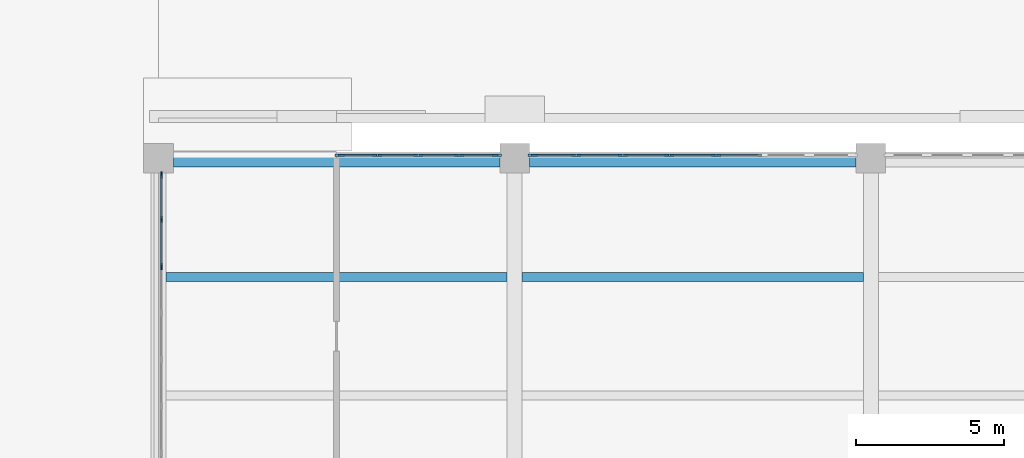
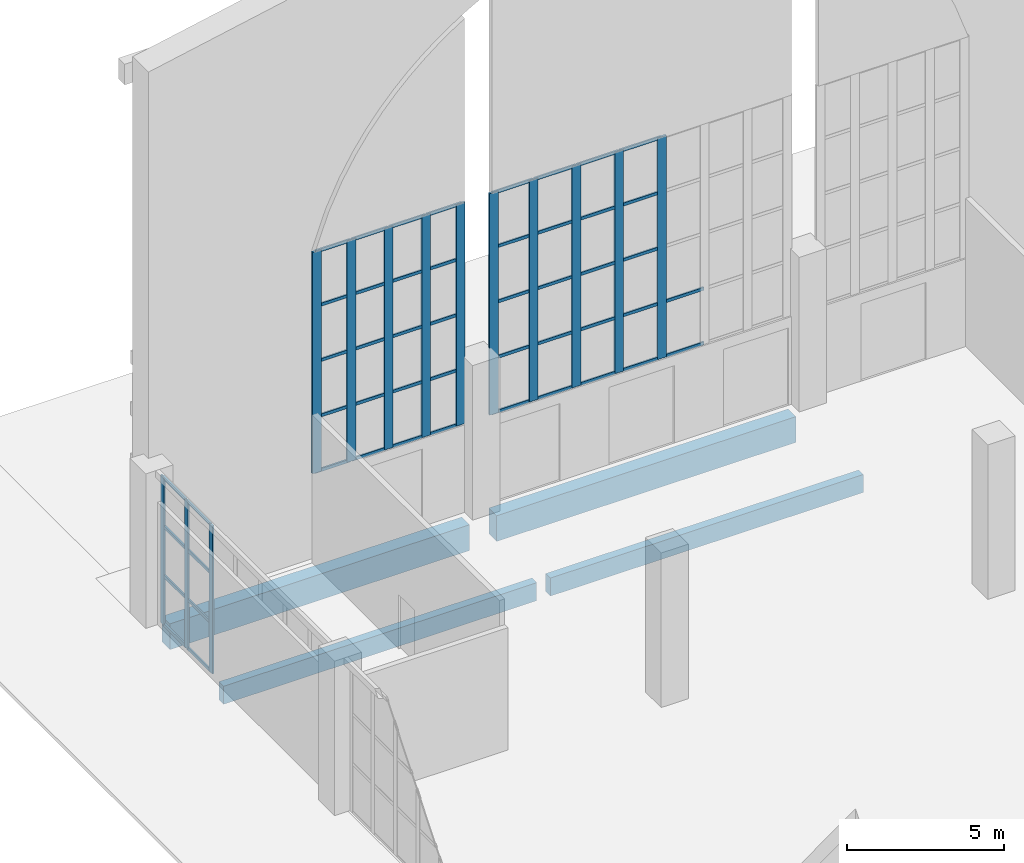
# One storey, part 21 of 59: 63 members, 4 beams, 3 elements without a shape of their own.
"""IFC4 building model written with IfcOpenShell, lengths in metres."""

from ifc_helpers import new_model, si_unit, direction, frame, origin, origin_2d, place, context, subcontext, project, spatial, rectangle, extrude, material, layer, layer_set, material_profile, profile_set, type_object, element, aggregate, save


model = new_model("IFC4")

# Units and contexts
model_context = context("Model", 3, precision=1e-05, world=origin(), true_north=direction((0.0, 1.0)))
body_context = subcontext(model_context, "Body", "Model", "MODEL_VIEW")
ifc_project = project(units=[si_unit("LENGTHUNIT", "METRE"), si_unit("AREAUNIT", "SQUARE_METRE"), si_unit("VOLUMEUNIT", "CUBIC_METRE"), si_unit("PLANEANGLEUNIT", "RADIAN"), si_unit("MASSUNIT", "GRAM", prefix="KILO")], contexts=[model_context])

# Site, building, storey
site_placement = place(None, origin())
site = spatial("IfcSite", under=ifc_project, at=site_placement, CompositionType="ELEMENT")
building_placement = place(site_placement, origin())
building = spatial("IfcBuilding", under=site, at=building_placement, Name="Lilac Gate Convention Centre", CompositionType="ELEMENT")
storey_placement = place(building_placement, origin())
storey = spatial("IfcBuildingStorey", under=building, at=storey_placement, Name="L00", CompositionType="ELEMENT", Elevation=0.0)

# Curtain wall, members
ifc_material_1 = material(Name="Aluminium framed double glazing", Category="aluminium")
ifc_layer = layer(ifc_material_1, 0.199951171875)
ifc_layer_set = layer_set([ifc_layer], Name="Aluminium framed double glazing")
curtain_wall_type = type_object("IfcCurtainWallType", Name="Unitised curtain wall 1500", PredefinedType="NOTDEFINED", material=ifc_layer_set)
curtain_wall_1_placement = place(storey_placement, origin())
curtain_wall_1 = element("IfcCurtainWall", 1, at=curtain_wall_1_placement, inside=storey, type_object=curtain_wall_type, Name="Curtain wall GW L00 1", PredefinedType="NOTDEFINED")
ifc_material_2 = material(Name="Aluminium alloy 6063", Category="aluminium")
ifc_material_profile_1 = material_profile(ifc_material_2, rectangle(XDim=0.06005859375, YDim=0.219970703125, at=origin_2d()), Name="Curtain wall mullion 60 x 220")
ifc_profile_set_1 = profile_set([ifc_material_profile_1], Name="Aluminium alloy 6063")
member_type_1 = type_object("IfcMemberType", Name="Curtain wall mullion 60 x 220", PredefinedType="MULLION", material=ifc_profile_set_1)
member_1_placement = place(storey_placement, frame((6.10009765625, 245.43994140625, 0.0), z_axis=(0.0, 0.0, 1.0), x_axis=(1.0, 0.0, 0.0)))
member_1 = element("IfcMember", 2, at=member_1_placement, type_object=member_type_1, Name="CW mullion 1", PredefinedType="MULLION", context=body_context, shape_type="SweptSolid", body=[
    extrude(rectangle(XDim=0.06005859375, YDim=0.219970703125, at=origin_2d()), origin(), (0.0, 0.0, 1.0), 5.75),
])
member_2_placement = place(storey_placement, frame((6.10009765625, 243.928466796875, 0.0), z_axis=(0.0, 0.0, 1.0), x_axis=(1.0, 0.0, 0.0)))
member_2 = element("IfcMember", 3, at=member_2_placement, type_object=member_type_1, Name="CW mullion 2", PredefinedType="MULLION", context=body_context, shape_type="SweptSolid", body=[
    extrude(rectangle(XDim=0.06005859375, YDim=0.219970703125, at=origin_2d()), origin(), (0.0, 0.0, 1.0), 5.75),
])
member_3_placement = place(storey_placement, frame((6.10009765625, 242.357177734375, 0.0), z_axis=(0.0, 0.0, 1.0), x_axis=(1.0, 0.0, 0.0)))
member_3 = element("IfcMember", 4, at=member_3_placement, type_object=member_type_1, Name="CW mullion 3", PredefinedType="MULLION", context=body_context, shape_type="SweptSolid", body=[
    extrude(rectangle(XDim=0.06005859375, YDim=0.219970703125, at=origin_2d()), origin(), (0.0, 0.0, 1.0), 5.75),
])

curtain_wall_2_placement = place(storey_placement, origin())
curtain_wall_2 = element("IfcCurtainWall", 5, at=curtain_wall_2_placement, inside=storey, type_object=curtain_wall_type, Name="Entrance screen curtain wall 1", PredefinedType="NOTDEFINED")
ifc_material_profile_2 = material_profile(ifc_material_2, rectangle(XDim=0.080078125, YDim=0.320068359375, at=origin_2d()), Name="Curtain wall mullion 80 x 320")
ifc_profile_set_2 = profile_set([ifc_material_profile_2], Name="Aluminium alloy 6063")
member_type_2 = type_object("IfcMemberType", Name="Curtain wall mullion 80 x 320", PredefinedType="MULLION", material=ifc_profile_set_2)
member_4_placement = place(storey_placement, frame((12.110107421875, 246.10009765625, 3.39990234375), z_axis=(0.0, 0.0, 1.0), x_axis=(0.0, 1.0, 0.0)))
member_4 = element("IfcMember", 6, at=member_4_placement, type_object=member_type_2, Name="CW mullion 1", PredefinedType="MULLION", context=body_context, shape_type="SweptSolid", body=[
    extrude(rectangle(XDim=0.080078125, YDim=0.320068359375, at=origin_2d()), origin(), (0.0, 0.0, 1.0), 8.60009765625),
])
member_5_placement = place(storey_placement, frame((13.375, 246.10009765625, 3.39990234375), z_axis=(0.0, 0.0, 1.0), x_axis=(0.0, 1.0, 0.0)))
member_5 = element("IfcMember", 7, at=member_5_placement, type_object=member_type_2, Name="CW mullion 2", PredefinedType="MULLION", context=body_context, shape_type="SweptSolid", body=[
    extrude(rectangle(XDim=0.080078125, YDim=0.320068359375, at=origin_2d()), origin(), (0.0, 0.0, 1.0), 8.60009765625),
])
member_6_placement = place(storey_placement, frame((14.75, 246.10009765625, 3.39990234375), z_axis=(0.0, 0.0, 1.0), x_axis=(0.0, 1.0, 0.0)))
member_6 = element("IfcMember", 8, at=member_6_placement, type_object=member_type_2, Name="CW mullion 3", PredefinedType="MULLION", context=body_context, shape_type="SweptSolid", body=[
    extrude(rectangle(XDim=0.080078125, YDim=0.320068359375, at=origin_2d()), origin(), (0.0, 0.0, 1.0), 8.60009765625),
])
member_7_placement = place(storey_placement, frame((16.125, 246.10009765625, 3.39990234375), z_axis=(0.0, 0.0, 1.0), x_axis=(0.0, 1.0, 0.0)))
member_7 = element("IfcMember", 9, at=member_7_placement, type_object=member_type_2, Name="CW mullion 4", PredefinedType="MULLION", context=body_context, shape_type="SweptSolid", body=[
    extrude(rectangle(XDim=0.080078125, YDim=0.320068359375, at=origin_2d()), origin(), (0.0, 0.0, 1.0), 8.60009765625),
])
member_8_placement = place(storey_placement, frame((17.389892578125, 246.10009765625, 3.39990234375), z_axis=(0.0, 0.0, 1.0), x_axis=(0.0, 1.0, 0.0)))
member_8 = element("IfcMember", 10, at=member_8_placement, type_object=member_type_2, Name="CW mullion 5", PredefinedType="MULLION", context=body_context, shape_type="SweptSolid", body=[
    extrude(rectangle(XDim=0.080078125, YDim=0.320068359375, at=origin_2d()), origin(), (0.0, 0.0, 1.0), 8.60009765625),
])

curtain_wall_3_placement = place(storey_placement, origin())
curtain_wall_3 = element("IfcCurtainWall", 11, at=curtain_wall_3_placement, inside=storey, type_object=curtain_wall_type, Name="Entrance screen curtain wall 2", PredefinedType="NOTDEFINED")
member_9_placement = place(storey_placement, frame((18.610107421875, 246.10009765625, 3.39990234375), z_axis=(0.0, 0.0, 1.0), x_axis=(0.0, 1.0, 0.0)))
member_9 = element("IfcMember", 12, at=member_9_placement, type_object=member_type_2, Name="CW mullion 1", PredefinedType="MULLION", context=body_context, shape_type="SweptSolid", body=[
    extrude(rectangle(XDim=0.080078125, YDim=0.320068359375, at=origin_2d()), origin(), (0.0, 0.0, 1.0), 8.60009765625),
])
member_10_placement = place(storey_placement, frame((20.071533203125, 246.10009765625, 3.39990234375), z_axis=(0.0, 0.0, 1.0), x_axis=(0.0, 1.0, 0.0)))
member_10 = element("IfcMember", 13, at=member_10_placement, type_object=member_type_2, Name="CW mullion 2", PredefinedType="MULLION", context=body_context, shape_type="SweptSolid", body=[
    extrude(rectangle(XDim=0.080078125, YDim=0.320068359375, at=origin_2d()), origin(), (0.0, 0.0, 1.0), 8.60009765625),
])
member_11_placement = place(storey_placement, frame((21.642822265625, 246.10009765625, 3.39990234375), z_axis=(0.0, 0.0, 1.0), x_axis=(0.0, 1.0, 0.0)))
member_11 = element("IfcMember", 14, at=member_11_placement, type_object=member_type_2, Name="CW mullion 3", PredefinedType="MULLION", context=body_context, shape_type="SweptSolid", body=[
    extrude(rectangle(XDim=0.080078125, YDim=0.320068359375, at=origin_2d()), origin(), (0.0, 0.0, 1.0), 8.60009765625),
])
member_12_placement = place(storey_placement, frame((23.21435546875, 246.10009765625, 3.39990234375), z_axis=(0.0, 0.0, 1.0), x_axis=(0.0, 1.0, 0.0)))
member_12 = element("IfcMember", 15, at=member_12_placement, type_object=member_type_2, Name="CW mullion 4", PredefinedType="MULLION", context=body_context, shape_type="SweptSolid", body=[
    extrude(rectangle(XDim=0.080078125, YDim=0.320068359375, at=origin_2d()), origin(), (0.0, 0.0, 1.0), 8.60009765625),
])
member_13_placement = place(storey_placement, frame((24.78564453125, 246.10009765625, 3.39990234375), z_axis=(0.0, 0.0, 1.0), x_axis=(0.0, 1.0, 0.0)))
member_13 = element("IfcMember", 16, at=member_13_placement, type_object=member_type_2, Name="CW mullion 5", PredefinedType="MULLION", context=body_context, shape_type="SweptSolid", body=[
    extrude(rectangle(XDim=0.080078125, YDim=0.320068359375, at=origin_2d()), origin(), (0.0, 0.0, 1.0), 8.60009765625),
])

# Member
ifc_material_profile_3 = material_profile(ifc_material_2, rectangle(XDim=0.06005859375, YDim=0.1201171875, at=origin_2d()), Name="Curtain wall transom 60 x 120")
ifc_profile_set_3 = profile_set([ifc_material_profile_3], Name="Aluminium alloy 6063")
member_type_3 = type_object("IfcMemberType", Name="Curtain wall transom 60 x 120", PredefinedType="USERDEFINED", material=ifc_profile_set_3)
member_14_placement = place(storey_placement, frame((6.10009765625, 245.43994140625, 0.030029296875), z_axis=(0.0, -1.0, 0.0), x_axis=(1.0, 0.0, 0.0)))
member_14 = element("IfcMember", 17, at=member_14_placement, type_object=member_type_3, Name="CW transom 1.1", ObjectType="TRANSOM", PredefinedType="USERDEFINED", context=body_context, shape_type="SweptSolid", body=[
    extrude(rectangle(XDim=0.06005859375, YDim=0.1201171875, at=origin_2d()), origin(), (0.0, 0.0, 1.0), 1.4814453125),
])

member_15_placement = place(storey_placement, frame((6.10009765625, 245.43994140625, 1.916748046875), z_axis=(0.0, -1.0, 0.0), x_axis=(1.0, 0.0, 0.0)))
member_15 = element("IfcMember", 18, at=member_15_placement, type_object=member_type_3, Name="CW transom 1.2", ObjectType="TRANSOM", PredefinedType="USERDEFINED", context=body_context, shape_type="SweptSolid", body=[
    extrude(rectangle(XDim=0.06005859375, YDim=0.1201171875, at=origin_2d()), origin(), (0.0, 0.0, 1.0), 1.4814453125),
])

member_16_placement = place(storey_placement, frame((6.10009765625, 245.43994140625, 3.833251953125), z_axis=(0.0, -1.0, 0.0), x_axis=(1.0, 0.0, 0.0)))
member_16 = element("IfcMember", 19, at=member_16_placement, type_object=member_type_3, Name="CW transom 1.3", ObjectType="TRANSOM", PredefinedType="USERDEFINED", context=body_context, shape_type="SweptSolid", body=[
    extrude(rectangle(XDim=0.06005859375, YDim=0.1201171875, at=origin_2d()), origin(), (0.0, 0.0, 1.0), 1.4814453125),
])

member_17_placement = place(storey_placement, frame((6.10009765625, 245.43994140625, 5.719970703125), z_axis=(0.0, -1.0, 0.0), x_axis=(1.0, 0.0, 0.0)))
member_17 = element("IfcMember", 20, at=member_17_placement, type_object=member_type_3, Name="CW transom 1.4", ObjectType="TRANSOM", PredefinedType="USERDEFINED", context=body_context, shape_type="SweptSolid", body=[
    extrude(rectangle(XDim=0.06005859375, YDim=0.1201171875, at=origin_2d()), origin(), (0.0, 0.0, 1.0), 1.4814453125),
])

member_18_placement = place(storey_placement, frame((6.10009765625, 243.898681640625, 0.030029296875), z_axis=(0.0, -1.0, 0.0), x_axis=(1.0, 0.0, 0.0)))
member_18 = element("IfcMember", 21, at=member_18_placement, type_object=member_type_3, Name="CW transom 2.1", ObjectType="TRANSOM", PredefinedType="USERDEFINED", context=body_context, shape_type="SweptSolid", body=[
    extrude(rectangle(XDim=0.06005859375, YDim=0.1201171875, at=origin_2d()), origin(), (0.0, 0.0, 1.0), 1.511474609375),
])

member_19_placement = place(storey_placement, frame((6.10009765625, 243.898681640625, 1.916748046875), z_axis=(0.0, -1.0, 0.0), x_axis=(1.0, 0.0, 0.0)))
member_19 = element("IfcMember", 22, at=member_19_placement, type_object=member_type_3, Name="CW transom 2.2", ObjectType="TRANSOM", PredefinedType="USERDEFINED", context=body_context, shape_type="SweptSolid", body=[
    extrude(rectangle(XDim=0.06005859375, YDim=0.1201171875, at=origin_2d()), origin(), (0.0, 0.0, 1.0), 1.511474609375),
])

member_20_placement = place(storey_placement, frame((6.10009765625, 243.898681640625, 3.833251953125), z_axis=(0.0, -1.0, 0.0), x_axis=(1.0, 0.0, 0.0)))
member_20 = element("IfcMember", 23, at=member_20_placement, type_object=member_type_3, Name="CW transom 2.3", ObjectType="TRANSOM", PredefinedType="USERDEFINED", context=body_context, shape_type="SweptSolid", body=[
    extrude(rectangle(XDim=0.06005859375, YDim=0.1201171875, at=origin_2d()), origin(), (0.0, 0.0, 1.0), 1.511474609375),
])

member_21_placement = place(storey_placement, frame((6.10009765625, 243.898681640625, 5.719970703125), z_axis=(0.0, -1.0, 0.0), x_axis=(1.0, 0.0, 0.0)))
member_21 = element("IfcMember", 24, at=member_21_placement, type_object=member_type_3, Name="CW transom 2.4", ObjectType="TRANSOM", PredefinedType="USERDEFINED", context=body_context, shape_type="SweptSolid", body=[
    extrude(rectangle(XDim=0.06005859375, YDim=0.1201171875, at=origin_2d()), origin(), (0.0, 0.0, 1.0), 1.511474609375),
])

aggregate(curtain_wall_1, [member_1, member_2, member_3, member_14, member_15, member_16, member_17, member_18, member_19, member_20, member_21])

member_22_placement = place(storey_placement, frame((12.06005859375, 246.10009765625, 3.429931640625), z_axis=(1.0, 0.0, 0.0), x_axis=(0.0, 1.0, 0.0)))
member_22 = element("IfcMember", 25, at=member_22_placement, type_object=member_type_3, Name="CW transom 1.1", ObjectType="TRANSOM", PredefinedType="USERDEFINED", context=body_context, shape_type="SweptSolid", body=[
    extrude(rectangle(XDim=0.06005859375, YDim=0.1201171875, at=origin_2d()), origin(), (0.0, 0.0, 1.0), 1.284912109375),
])

member_23_placement = place(storey_placement, frame((12.06005859375, 246.10009765625, 5.550048828125), z_axis=(1.0, 0.0, 0.0), x_axis=(0.0, 1.0, 0.0)))
member_23 = element("IfcMember", 26, at=member_23_placement, type_object=member_type_3, Name="CW transom 1.2", ObjectType="TRANSOM", PredefinedType="USERDEFINED", context=body_context, shape_type="SweptSolid", body=[
    extrude(rectangle(XDim=0.06005859375, YDim=0.1201171875, at=origin_2d()), origin(), (0.0, 0.0, 1.0), 1.284912109375),
])

member_24_placement = place(storey_placement, frame((12.06005859375, 246.10009765625, 7.699951171875), z_axis=(1.0, 0.0, 0.0), x_axis=(0.0, 1.0, 0.0)))
member_24 = element("IfcMember", 27, at=member_24_placement, type_object=member_type_3, Name="CW transom 1.3", ObjectType="TRANSOM", PredefinedType="USERDEFINED", context=body_context, shape_type="SweptSolid", body=[
    extrude(rectangle(XDim=0.06005859375, YDim=0.1201171875, at=origin_2d()), origin(), (0.0, 0.0, 1.0), 1.284912109375),
])

member_25_placement = place(storey_placement, frame((12.06005859375, 246.10009765625, 9.85009765625), z_axis=(1.0, 0.0, 0.0), x_axis=(0.0, 1.0, 0.0)))
member_25 = element("IfcMember", 28, at=member_25_placement, type_object=member_type_3, Name="CW transom 1.4", ObjectType="TRANSOM", PredefinedType="USERDEFINED", context=body_context, shape_type="SweptSolid", body=[
    extrude(rectangle(XDim=0.06005859375, YDim=0.1201171875, at=origin_2d()), origin(), (0.0, 0.0, 1.0), 1.284912109375),
])

member_26_placement = place(storey_placement, frame((12.06005859375, 246.10009765625, 11.969970703125), z_axis=(1.0, 0.0, 0.0), x_axis=(0.0, 1.0, 0.0)))
member_26 = element("IfcMember", 29, at=member_26_placement, type_object=member_type_3, Name="CW transom 1.5", ObjectType="TRANSOM", PredefinedType="USERDEFINED", context=body_context, shape_type="SweptSolid", body=[
    extrude(rectangle(XDim=0.06005859375, YDim=0.1201171875, at=origin_2d()), origin(), (0.0, 0.0, 1.0), 1.284912109375),
])

member_27_placement = place(storey_placement, frame((13.405029296875, 246.10009765625, 3.429931640625), z_axis=(1.0, 0.0, 0.0), x_axis=(0.0, 1.0, 0.0)))
member_27 = element("IfcMember", 30, at=member_27_placement, type_object=member_type_3, Name="CW transom 2.1", ObjectType="TRANSOM", PredefinedType="USERDEFINED", context=body_context, shape_type="SweptSolid", body=[
    extrude(rectangle(XDim=0.06005859375, YDim=0.1201171875, at=origin_2d()), origin(), (0.0, 0.0, 1.0), 1.31494140625),
])

member_28_placement = place(storey_placement, frame((13.405029296875, 246.10009765625, 5.550048828125), z_axis=(1.0, 0.0, 0.0), x_axis=(0.0, 1.0, 0.0)))
member_28 = element("IfcMember", 31, at=member_28_placement, type_object=member_type_3, Name="CW transom 2.2", ObjectType="TRANSOM", PredefinedType="USERDEFINED", context=body_context, shape_type="SweptSolid", body=[
    extrude(rectangle(XDim=0.06005859375, YDim=0.1201171875, at=origin_2d()), origin(), (0.0, 0.0, 1.0), 1.31494140625),
])

member_29_placement = place(storey_placement, frame((13.405029296875, 246.10009765625, 7.699951171875), z_axis=(1.0, 0.0, 0.0), x_axis=(0.0, 1.0, 0.0)))
member_29 = element("IfcMember", 32, at=member_29_placement, type_object=member_type_3, Name="CW transom 2.3", ObjectType="TRANSOM", PredefinedType="USERDEFINED", context=body_context, shape_type="SweptSolid", body=[
    extrude(rectangle(XDim=0.06005859375, YDim=0.1201171875, at=origin_2d()), origin(), (0.0, 0.0, 1.0), 1.31494140625),
])

member_30_placement = place(storey_placement, frame((13.405029296875, 246.10009765625, 9.85009765625), z_axis=(1.0, 0.0, 0.0), x_axis=(0.0, 1.0, 0.0)))
member_30 = element("IfcMember", 33, at=member_30_placement, type_object=member_type_3, Name="CW transom 2.4", ObjectType="TRANSOM", PredefinedType="USERDEFINED", context=body_context, shape_type="SweptSolid", body=[
    extrude(rectangle(XDim=0.06005859375, YDim=0.1201171875, at=origin_2d()), origin(), (0.0, 0.0, 1.0), 1.31494140625),
])

member_31_placement = place(storey_placement, frame((13.405029296875, 246.10009765625, 11.969970703125), z_axis=(1.0, 0.0, 0.0), x_axis=(0.0, 1.0, 0.0)))
member_31 = element("IfcMember", 34, at=member_31_placement, type_object=member_type_3, Name="CW transom 2.5", ObjectType="TRANSOM", PredefinedType="USERDEFINED", context=body_context, shape_type="SweptSolid", body=[
    extrude(rectangle(XDim=0.06005859375, YDim=0.1201171875, at=origin_2d()), origin(), (0.0, 0.0, 1.0), 1.31494140625),
])

member_32_placement = place(storey_placement, frame((14.780029296875, 246.10009765625, 3.429931640625), z_axis=(1.0, 0.0, 0.0), x_axis=(0.0, 1.0, 0.0)))
member_32 = element("IfcMember", 35, at=member_32_placement, type_object=member_type_3, Name="CW transom 3.1", ObjectType="TRANSOM", PredefinedType="USERDEFINED", context=body_context, shape_type="SweptSolid", body=[
    extrude(rectangle(XDim=0.06005859375, YDim=0.1201171875, at=origin_2d()), origin(), (0.0, 0.0, 1.0), 1.31494140625),
])

member_33_placement = place(storey_placement, frame((14.780029296875, 246.10009765625, 5.550048828125), z_axis=(1.0, 0.0, 0.0), x_axis=(0.0, 1.0, 0.0)))
member_33 = element("IfcMember", 36, at=member_33_placement, type_object=member_type_3, Name="CW transom 3.2", ObjectType="TRANSOM", PredefinedType="USERDEFINED", context=body_context, shape_type="SweptSolid", body=[
    extrude(rectangle(XDim=0.06005859375, YDim=0.1201171875, at=origin_2d()), origin(), (0.0, 0.0, 1.0), 1.31494140625),
])

member_34_placement = place(storey_placement, frame((14.780029296875, 246.10009765625, 7.699951171875), z_axis=(1.0, 0.0, 0.0), x_axis=(0.0, 1.0, 0.0)))
member_34 = element("IfcMember", 37, at=member_34_placement, type_object=member_type_3, Name="CW transom 3.3", ObjectType="TRANSOM", PredefinedType="USERDEFINED", context=body_context, shape_type="SweptSolid", body=[
    extrude(rectangle(XDim=0.06005859375, YDim=0.1201171875, at=origin_2d()), origin(), (0.0, 0.0, 1.0), 1.31494140625),
])

member_35_placement = place(storey_placement, frame((14.780029296875, 246.10009765625, 9.85009765625), z_axis=(1.0, 0.0, 0.0), x_axis=(0.0, 1.0, 0.0)))
member_35 = element("IfcMember", 38, at=member_35_placement, type_object=member_type_3, Name="CW transom 3.4", ObjectType="TRANSOM", PredefinedType="USERDEFINED", context=body_context, shape_type="SweptSolid", body=[
    extrude(rectangle(XDim=0.06005859375, YDim=0.1201171875, at=origin_2d()), origin(), (0.0, 0.0, 1.0), 1.31494140625),
])

member_36_placement = place(storey_placement, frame((14.780029296875, 246.10009765625, 11.969970703125), z_axis=(1.0, 0.0, 0.0), x_axis=(0.0, 1.0, 0.0)))
member_36 = element("IfcMember", 39, at=member_36_placement, type_object=member_type_3, Name="CW transom 3.5", ObjectType="TRANSOM", PredefinedType="USERDEFINED", context=body_context, shape_type="SweptSolid", body=[
    extrude(rectangle(XDim=0.06005859375, YDim=0.1201171875, at=origin_2d()), origin(), (0.0, 0.0, 1.0), 1.31494140625),
])

member_37_placement = place(storey_placement, frame((16.155029296875, 246.10009765625, 3.429931640625), z_axis=(1.0, 0.0, 0.0), x_axis=(0.0, 1.0, 0.0)))
member_37 = element("IfcMember", 40, at=member_37_placement, type_object=member_type_3, Name="CW transom 4.1", ObjectType="TRANSOM", PredefinedType="USERDEFINED", context=body_context, shape_type="SweptSolid", body=[
    extrude(rectangle(XDim=0.06005859375, YDim=0.1201171875, at=origin_2d()), origin(), (0.0, 0.0, 1.0), 1.284912109375),
])

member_38_placement = place(storey_placement, frame((16.155029296875, 246.10009765625, 5.550048828125), z_axis=(1.0, 0.0, 0.0), x_axis=(0.0, 1.0, 0.0)))
member_38 = element("IfcMember", 41, at=member_38_placement, type_object=member_type_3, Name="CW transom 4.2", ObjectType="TRANSOM", PredefinedType="USERDEFINED", context=body_context, shape_type="SweptSolid", body=[
    extrude(rectangle(XDim=0.06005859375, YDim=0.1201171875, at=origin_2d()), origin(), (0.0, 0.0, 1.0), 1.284912109375),
])

member_39_placement = place(storey_placement, frame((16.155029296875, 246.10009765625, 7.699951171875), z_axis=(1.0, 0.0, 0.0), x_axis=(0.0, 1.0, 0.0)))
member_39 = element("IfcMember", 42, at=member_39_placement, type_object=member_type_3, Name="CW transom 4.3", ObjectType="TRANSOM", PredefinedType="USERDEFINED", context=body_context, shape_type="SweptSolid", body=[
    extrude(rectangle(XDim=0.06005859375, YDim=0.1201171875, at=origin_2d()), origin(), (0.0, 0.0, 1.0), 1.284912109375),
])

member_40_placement = place(storey_placement, frame((16.155029296875, 246.10009765625, 9.85009765625), z_axis=(1.0, 0.0, 0.0), x_axis=(0.0, 1.0, 0.0)))
member_40 = element("IfcMember", 43, at=member_40_placement, type_object=member_type_3, Name="CW transom 4.4", ObjectType="TRANSOM", PredefinedType="USERDEFINED", context=body_context, shape_type="SweptSolid", body=[
    extrude(rectangle(XDim=0.06005859375, YDim=0.1201171875, at=origin_2d()), origin(), (0.0, 0.0, 1.0), 1.284912109375),
])

member_41_placement = place(storey_placement, frame((16.155029296875, 246.10009765625, 11.969970703125), z_axis=(1.0, 0.0, 0.0), x_axis=(0.0, 1.0, 0.0)))
member_41 = element("IfcMember", 44, at=member_41_placement, type_object=member_type_3, Name="CW transom 4.5", ObjectType="TRANSOM", PredefinedType="USERDEFINED", context=body_context, shape_type="SweptSolid", body=[
    extrude(rectangle(XDim=0.06005859375, YDim=0.1201171875, at=origin_2d()), origin(), (0.0, 0.0, 1.0), 1.284912109375),
])

aggregate(curtain_wall_2, [member_4, member_5, member_6, member_7, member_8, member_22, member_23, member_24, member_25, member_26, member_27, member_28, member_29, member_30, member_31, member_32, member_33, member_34, member_35, member_36, member_37, member_38, member_39, member_40, member_41])

member_42_placement = place(storey_placement, frame((18.56005859375, 246.10009765625, 3.429931640625), z_axis=(1.0, 0.0, 0.0), x_axis=(0.0, 1.0, 0.0)))
member_42 = element("IfcMember", 45, at=member_42_placement, type_object=member_type_3, Name="CW transom 1.1", ObjectType="TRANSOM", PredefinedType="USERDEFINED", context=body_context, shape_type="SweptSolid", body=[
    extrude(rectangle(XDim=0.06005859375, YDim=0.1201171875, at=origin_2d()), origin(), (0.0, 0.0, 1.0), 1.4814453125),
])

member_43_placement = place(storey_placement, frame((18.56005859375, 246.10009765625, 5.550048828125), z_axis=(1.0, 0.0, 0.0), x_axis=(0.0, 1.0, 0.0)))
member_43 = element("IfcMember", 46, at=member_43_placement, type_object=member_type_3, Name="CW transom 1.2", ObjectType="TRANSOM", PredefinedType="USERDEFINED", context=body_context, shape_type="SweptSolid", body=[
    extrude(rectangle(XDim=0.06005859375, YDim=0.1201171875, at=origin_2d()), origin(), (0.0, 0.0, 1.0), 1.4814453125),
])

member_44_placement = place(storey_placement, frame((18.56005859375, 246.10009765625, 7.699951171875), z_axis=(1.0, 0.0, 0.0), x_axis=(0.0, 1.0, 0.0)))
member_44 = element("IfcMember", 47, at=member_44_placement, type_object=member_type_3, Name="CW transom 1.3", ObjectType="TRANSOM", PredefinedType="USERDEFINED", context=body_context, shape_type="SweptSolid", body=[
    extrude(rectangle(XDim=0.06005859375, YDim=0.1201171875, at=origin_2d()), origin(), (0.0, 0.0, 1.0), 1.4814453125),
])

member_45_placement = place(storey_placement, frame((18.56005859375, 246.10009765625, 9.85009765625), z_axis=(1.0, 0.0, 0.0), x_axis=(0.0, 1.0, 0.0)))
member_45 = element("IfcMember", 48, at=member_45_placement, type_object=member_type_3, Name="CW transom 1.4", ObjectType="TRANSOM", PredefinedType="USERDEFINED", context=body_context, shape_type="SweptSolid", body=[
    extrude(rectangle(XDim=0.06005859375, YDim=0.1201171875, at=origin_2d()), origin(), (0.0, 0.0, 1.0), 1.4814453125),
])

member_46_placement = place(storey_placement, frame((18.56005859375, 246.10009765625, 11.969970703125), z_axis=(1.0, 0.0, 0.0), x_axis=(0.0, 1.0, 0.0)))
member_46 = element("IfcMember", 49, at=member_46_placement, type_object=member_type_3, Name="CW transom 1.5", ObjectType="TRANSOM", PredefinedType="USERDEFINED", context=body_context, shape_type="SweptSolid", body=[
    extrude(rectangle(XDim=0.06005859375, YDim=0.1201171875, at=origin_2d()), origin(), (0.0, 0.0, 1.0), 1.4814453125),
])

member_47_placement = place(storey_placement, frame((20.101318359375, 246.10009765625, 3.429931640625), z_axis=(1.0, 0.0, 0.0), x_axis=(0.0, 1.0, 0.0)))
member_47 = element("IfcMember", 50, at=member_47_placement, type_object=member_type_3, Name="CW transom 2.1", ObjectType="TRANSOM", PredefinedType="USERDEFINED", context=body_context, shape_type="SweptSolid", body=[
    extrude(rectangle(XDim=0.06005859375, YDim=0.1201171875, at=origin_2d()), origin(), (0.0, 0.0, 1.0), 1.511474609375),
])

member_48_placement = place(storey_placement, frame((20.101318359375, 246.10009765625, 5.550048828125), z_axis=(1.0, 0.0, 0.0), x_axis=(0.0, 1.0, 0.0)))
member_48 = element("IfcMember", 51, at=member_48_placement, type_object=member_type_3, Name="CW transom 2.2", ObjectType="TRANSOM", PredefinedType="USERDEFINED", context=body_context, shape_type="SweptSolid", body=[
    extrude(rectangle(XDim=0.06005859375, YDim=0.1201171875, at=origin_2d()), origin(), (0.0, 0.0, 1.0), 1.511474609375),
])

member_49_placement = place(storey_placement, frame((20.101318359375, 246.10009765625, 7.699951171875), z_axis=(1.0, 0.0, 0.0), x_axis=(0.0, 1.0, 0.0)))
member_49 = element("IfcMember", 52, at=member_49_placement, type_object=member_type_3, Name="CW transom 2.3", ObjectType="TRANSOM", PredefinedType="USERDEFINED", context=body_context, shape_type="SweptSolid", body=[
    extrude(rectangle(XDim=0.06005859375, YDim=0.1201171875, at=origin_2d()), origin(), (0.0, 0.0, 1.0), 1.511474609375),
])

member_50_placement = place(storey_placement, frame((20.101318359375, 246.10009765625, 9.85009765625), z_axis=(1.0, 0.0, 0.0), x_axis=(0.0, 1.0, 0.0)))
member_50 = element("IfcMember", 53, at=member_50_placement, type_object=member_type_3, Name="CW transom 2.4", ObjectType="TRANSOM", PredefinedType="USERDEFINED", context=body_context, shape_type="SweptSolid", body=[
    extrude(rectangle(XDim=0.06005859375, YDim=0.1201171875, at=origin_2d()), origin(), (0.0, 0.0, 1.0), 1.511474609375),
])

member_51_placement = place(storey_placement, frame((20.101318359375, 246.10009765625, 11.969970703125), z_axis=(1.0, 0.0, 0.0), x_axis=(0.0, 1.0, 0.0)))
member_51 = element("IfcMember", 54, at=member_51_placement, type_object=member_type_3, Name="CW transom 2.5", ObjectType="TRANSOM", PredefinedType="USERDEFINED", context=body_context, shape_type="SweptSolid", body=[
    extrude(rectangle(XDim=0.06005859375, YDim=0.1201171875, at=origin_2d()), origin(), (0.0, 0.0, 1.0), 1.511474609375),
])

member_52_placement = place(storey_placement, frame((21.6728515625, 246.10009765625, 3.429931640625), z_axis=(1.0, 0.0, 0.0), x_axis=(0.0, 1.0, 0.0)))
member_52 = element("IfcMember", 55, at=member_52_placement, type_object=member_type_3, Name="CW transom 3.1", ObjectType="TRANSOM", PredefinedType="USERDEFINED", context=body_context, shape_type="SweptSolid", body=[
    extrude(rectangle(XDim=0.06005859375, YDim=0.1201171875, at=origin_2d()), origin(), (0.0, 0.0, 1.0), 1.511474609375),
])

member_53_placement = place(storey_placement, frame((21.6728515625, 246.10009765625, 5.550048828125), z_axis=(1.0, 0.0, 0.0), x_axis=(0.0, 1.0, 0.0)))
member_53 = element("IfcMember", 56, at=member_53_placement, type_object=member_type_3, Name="CW transom 3.2", ObjectType="TRANSOM", PredefinedType="USERDEFINED", context=body_context, shape_type="SweptSolid", body=[
    extrude(rectangle(XDim=0.06005859375, YDim=0.1201171875, at=origin_2d()), origin(), (0.0, 0.0, 1.0), 1.511474609375),
])

member_54_placement = place(storey_placement, frame((21.6728515625, 246.10009765625, 7.699951171875), z_axis=(1.0, 0.0, 0.0), x_axis=(0.0, 1.0, 0.0)))
member_54 = element("IfcMember", 57, at=member_54_placement, type_object=member_type_3, Name="CW transom 3.3", ObjectType="TRANSOM", PredefinedType="USERDEFINED", context=body_context, shape_type="SweptSolid", body=[
    extrude(rectangle(XDim=0.06005859375, YDim=0.1201171875, at=origin_2d()), origin(), (0.0, 0.0, 1.0), 1.511474609375),
])

member_55_placement = place(storey_placement, frame((21.6728515625, 246.10009765625, 9.85009765625), z_axis=(1.0, 0.0, 0.0), x_axis=(0.0, 1.0, 0.0)))
member_55 = element("IfcMember", 58, at=member_55_placement, type_object=member_type_3, Name="CW transom 3.4", ObjectType="TRANSOM", PredefinedType="USERDEFINED", context=body_context, shape_type="SweptSolid", body=[
    extrude(rectangle(XDim=0.06005859375, YDim=0.1201171875, at=origin_2d()), origin(), (0.0, 0.0, 1.0), 1.511474609375),
])

member_56_placement = place(storey_placement, frame((21.6728515625, 246.10009765625, 11.969970703125), z_axis=(1.0, 0.0, 0.0), x_axis=(0.0, 1.0, 0.0)))
member_56 = element("IfcMember", 59, at=member_56_placement, type_object=member_type_3, Name="CW transom 3.5", ObjectType="TRANSOM", PredefinedType="USERDEFINED", context=body_context, shape_type="SweptSolid", body=[
    extrude(rectangle(XDim=0.06005859375, YDim=0.1201171875, at=origin_2d()), origin(), (0.0, 0.0, 1.0), 1.511474609375),
])

member_57_placement = place(storey_placement, frame((23.244384765625, 246.10009765625, 3.429931640625), z_axis=(1.0, 0.0, 0.0), x_axis=(0.0, 1.0, 0.0)))
member_57 = element("IfcMember", 60, at=member_57_placement, type_object=member_type_3, Name="CW transom 4.1", ObjectType="TRANSOM", PredefinedType="USERDEFINED", context=body_context, shape_type="SweptSolid", body=[
    extrude(rectangle(XDim=0.06005859375, YDim=0.1201171875, at=origin_2d()), origin(), (0.0, 0.0, 1.0), 1.51123046875),
])

member_58_placement = place(storey_placement, frame((23.244384765625, 246.10009765625, 5.550048828125), z_axis=(1.0, 0.0, 0.0), x_axis=(0.0, 1.0, 0.0)))
member_58 = element("IfcMember", 61, at=member_58_placement, type_object=member_type_3, Name="CW transom 4.2", ObjectType="TRANSOM", PredefinedType="USERDEFINED", context=body_context, shape_type="SweptSolid", body=[
    extrude(rectangle(XDim=0.06005859375, YDim=0.1201171875, at=origin_2d()), origin(), (0.0, 0.0, 1.0), 1.51123046875),
])

member_59_placement = place(storey_placement, frame((23.244384765625, 246.10009765625, 7.699951171875), z_axis=(1.0, 0.0, 0.0), x_axis=(0.0, 1.0, 0.0)))
member_59 = element("IfcMember", 62, at=member_59_placement, type_object=member_type_3, Name="CW transom 4.3", ObjectType="TRANSOM", PredefinedType="USERDEFINED", context=body_context, shape_type="SweptSolid", body=[
    extrude(rectangle(XDim=0.06005859375, YDim=0.1201171875, at=origin_2d()), origin(), (0.0, 0.0, 1.0), 1.51123046875),
])

member_60_placement = place(storey_placement, frame((23.244384765625, 246.10009765625, 9.85009765625), z_axis=(1.0, 0.0, 0.0), x_axis=(0.0, 1.0, 0.0)))
member_60 = element("IfcMember", 63, at=member_60_placement, type_object=member_type_3, Name="CW transom 4.4", ObjectType="TRANSOM", PredefinedType="USERDEFINED", context=body_context, shape_type="SweptSolid", body=[
    extrude(rectangle(XDim=0.06005859375, YDim=0.1201171875, at=origin_2d()), origin(), (0.0, 0.0, 1.0), 1.51123046875),
])

member_61_placement = place(storey_placement, frame((23.244384765625, 246.10009765625, 11.969970703125), z_axis=(1.0, 0.0, 0.0), x_axis=(0.0, 1.0, 0.0)))
member_61 = element("IfcMember", 64, at=member_61_placement, type_object=member_type_3, Name="CW transom 4.5", ObjectType="TRANSOM", PredefinedType="USERDEFINED", context=body_context, shape_type="SweptSolid", body=[
    extrude(rectangle(XDim=0.06005859375, YDim=0.1201171875, at=origin_2d()), origin(), (0.0, 0.0, 1.0), 1.51123046875),
])

member_62_placement = place(storey_placement, frame((24.815673828125, 246.10009765625, 3.429931640625), z_axis=(1.0, 0.0, 0.0), x_axis=(0.0, 1.0, 0.0)))
member_62 = element("IfcMember", 65, at=member_62_placement, type_object=member_type_3, Name="CW transom 5.1", ObjectType="TRANSOM", PredefinedType="USERDEFINED", context=body_context, shape_type="SweptSolid", body=[
    extrude(rectangle(XDim=0.06005859375, YDim=0.1201171875, at=origin_2d()), origin(), (0.0, 0.0, 1.0), 1.511474609375),
])

member_63_placement = place(storey_placement, frame((24.815673828125, 246.10009765625, 5.550048828125), z_axis=(1.0, 0.0, 0.0), x_axis=(0.0, 1.0, 0.0)))
member_63 = element("IfcMember", 66, at=member_63_placement, type_object=member_type_3, Name="CW transom 5.2", ObjectType="TRANSOM", PredefinedType="USERDEFINED", context=body_context, shape_type="SweptSolid", body=[
    extrude(rectangle(XDim=0.06005859375, YDim=0.1201171875, at=origin_2d()), origin(), (0.0, 0.0, 1.0), 1.511474609375),
])

aggregate(curtain_wall_3, [member_9, member_10, member_11, member_12, member_13, member_42, member_43, member_44, member_45, member_46, member_47, member_48, member_49, member_50, member_51, member_52, member_53, member_54, member_55, member_56, member_57, member_58, member_59, member_60, member_61, member_62, member_63])

# Beams
ifc_material_3 = material(Name="Concrete C40", Category="concrete")
ifc_material_profile_4 = material_profile(ifc_material_3, rectangle(XDim=0.5, YDim=1.0, at=origin_2d()), Name="RC 500x1000")
ifc_profile_set_4 = profile_set([ifc_material_profile_4], Name="Concrete C40")
beam_type_1 = type_object("IfcBeamType", Name="Primary beam 500x1000 C40", PredefinedType="BEAM", material=ifc_profile_set_4)
for number, where, z_axis, x_axis, name in (
    (67, (6.5, 245.949951171875, -0.800048828125), (1.0, 0.0, 0.0), (0.0, 1.0, 0.0), "RB1 L00 1/U-2/U"),
    (68, (18.5, 245.949951171875, -0.800048828125), (1.0, 0.0, 0.0), (0.0, 1.0, 0.0), "RB1 L00 2/U-3/U"),
):
    element("IfcBeam", number, at=place(storey_placement, frame(where, z_axis=z_axis, x_axis=x_axis)), inside=storey, type_object=beam_type_1, Name=name, PredefinedType="BEAM", context=body_context, shape_type="SweptSolid", body=[
        extrude(rectangle(XDim=0.5, YDim=1.0, at=origin_2d()), origin(), (0.0, 0.0, 1.0), 11.0),
    ])
ifc_material_profile_5 = material_profile(ifc_material_3, rectangle(XDim=0.300048828125, YDim=0.699951171875, at=origin_2d()), Name="RC 300x700")
ifc_profile_set_5 = profile_set([ifc_material_profile_5], Name="Concrete C40")
beam_type_2 = type_object("IfcBeamType", Name="Secondary beam 300x700 C40", PredefinedType="BEAM", material=ifc_profile_set_5)
for number, where, z_axis, x_axis, name in (
    (69, (6.25, 242.0, -0.64990234375), (1.0, 0.0, 0.0), (0.0, 1.0, 0.0), "RB2 L00 bay 1/T"),
    (70, (18.25, 242.0, -0.64990234375), (1.0, 0.0, 0.0), (0.0, 1.0, 0.0), "RB2 L00 bay 2/T"),
):
    element("IfcBeam", number, at=place(storey_placement, frame(where, z_axis=z_axis, x_axis=x_axis)), inside=storey, type_object=beam_type_2, Name=name, PredefinedType="BEAM", context=body_context, shape_type="SweptSolid", body=[
        extrude(rectangle(XDim=0.300048828125, YDim=0.699951171875, at=origin_2d()), origin(), (0.0, 0.0, 1.0), 11.5),
    ])

save(model, "model.ifc")
